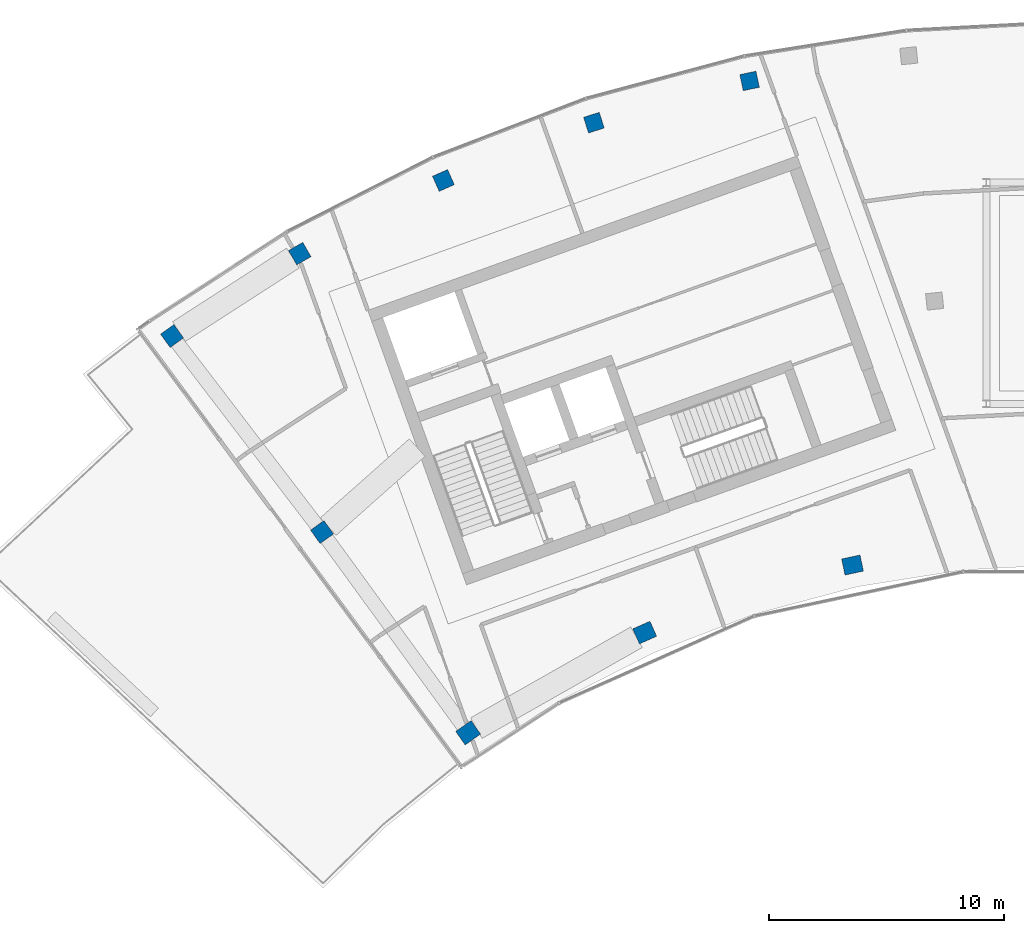
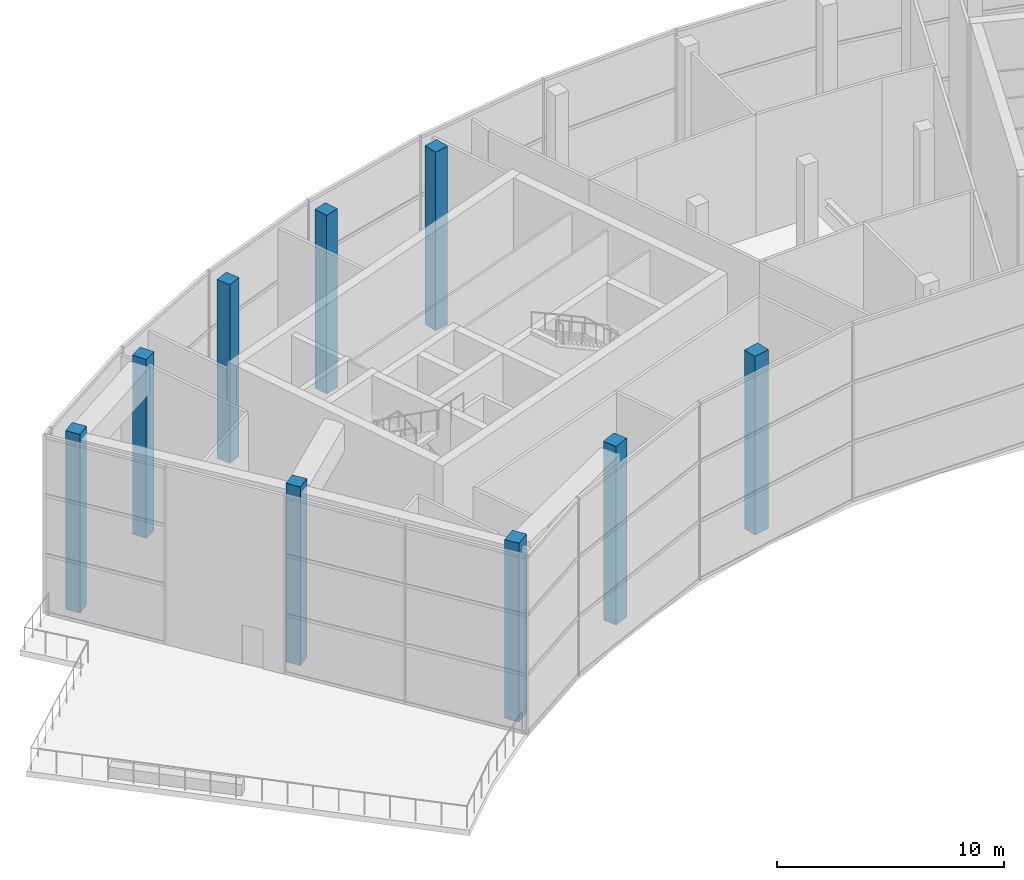
# One storey, part 1 of 20: 9 columns.
"""IFC4 building model written with IfcOpenShell, lengths in metres."""

import ifcopenshell
import ifcopenshell.guid

model = None  # the IFC model being written
_history = None  # IfcOwnerHistory: only IFC2X3 demands one
_inside = {}  # id of a spatial element -> (the spatial element, [elements in it])
_under = {}  # id of a project, library or spatial element -> (it, [spatial elements below it])
_declared = {}  # id of a project -> (the project, [libraries it declares])
_typed = {}  # id of a type object -> (the type object, [elements of that type])
_made_of = {}  # id of a material, layer set ... -> (it, [elements and type objects made of it])


def new_model(schema):
    """Start an empty IFC model of exactly this schema.

    Asked for "IFC4X3", IfcOpenShell would pick the latest addendum, in which some entities
    have other attributes; the version numbers below select the first issue.
    IFC2X3 requires an IfcOwnerHistory on every rooted entity: one is made here for all.
    """
    global model, _history
    if schema == "IFC4X3":
        model = ifcopenshell.file(schema_version=(4, 3, 0, 0))
    else:
        model = ifcopenshell.file(schema=schema)
    _inside.clear()
    _under.clear()
    _declared.clear()
    _typed.clear()
    _made_of.clear()
    _history = None
    if model.schema == "IFC2X3":
        org = make("IfcOrganization", Name="unknown")
        user = make(
            "IfcPersonAndOrganization",
            ThePerson=make("IfcPerson", FamilyName="unknown"),
            TheOrganization=org,
        )
        app = make(
            "IfcApplication",
            ApplicationDeveloper=org,
            Version="unknown",
            ApplicationFullName="unknown",
            ApplicationIdentifier="unknown",
        )
        _history = make(
            "IfcOwnerHistory",
            OwningUser=user,
            OwningApplication=app,
            ChangeAction="ADDED",
            CreationDate=0,
        )
    return model


def make(cls, **values):
    """One entity of the class cls with the attributes given. An attribute that is None is left unset."""
    return model.create_entity(
        cls, **{name: value for name, value in values.items() if value is not None}
    )


def rooted(cls, **values):
    """An entity with a GlobalId (a new one), such as an element, a storey or a relation."""
    return make(cls, GlobalId=ifcopenshell.guid.new(), OwnerHistory=_history, **values)


def si_unit(unit_type, name, prefix=None):
    """IfcSIUnit, for example si_unit("LENGTHUNIT", "METRE", prefix="MILLI")."""
    return make("IfcSIUnit", UnitType=unit_type, Prefix=prefix, Name=name)


def assignment(units):
    """IfcUnitAssignment: the units of a project."""
    return None if units is None else make("IfcUnitAssignment", Units=units)


def point(xyz):
    """IfcCartesianPoint."""
    return None if xyz is None else make("IfcCartesianPoint", Coordinates=xyz)


def direction(xyz):
    """IfcDirection."""
    return None if xyz is None else make("IfcDirection", DirectionRatios=xyz)


def frame(location, z_axis=None, x_axis=None):
    """IfcAxis2Placement3D, a coordinate frame: its origin and axes. An axis left out is left unset."""
    return make(
        "IfcAxis2Placement3D",
        Location=point(location),
        Axis=direction(z_axis),
        RefDirection=direction(x_axis),
    )


def frame_2d(location, x_axis=None):
    """IfcAxis2Placement2D, a coordinate frame in the plane: its origin and x axis."""
    return make(
        "IfcAxis2Placement2D", Location=point(location), RefDirection=direction(x_axis)
    )


def origin():
    """The frame at (0, 0, 0) with its axes left unset."""
    return frame((0.0, 0.0, 0.0))


def origin_2d():
    """The frame at (0, 0) in the plane with its x axis left unset."""
    return frame_2d((0.0, 0.0))


def place(relative_to, where):
    """IfcLocalPlacement: puts the frame where relative to a parent placement (None: the world)."""
    return make(
        "IfcLocalPlacement", PlacementRelTo=relative_to, RelativePlacement=where
    )


def context(
    kind, dimensions, precision=None, world=None, true_north=None, identifier=None
):
    """IfcGeometricRepresentationContext, for example the 3D "Model" context."""
    return make(
        "IfcGeometricRepresentationContext",
        ContextIdentifier=identifier,
        ContextType=kind,
        CoordinateSpaceDimension=dimensions,
        Precision=precision,
        WorldCoordinateSystem=world,
        TrueNorth=true_north,
    )


def subcontext(parent, identifier, kind, view, scale=None):
    """IfcGeometricRepresentationSubContext, for example "Body" below "Model"."""
    return make(
        "IfcGeometricRepresentationSubContext",
        ContextIdentifier=identifier,
        ContextType=kind,
        ParentContext=parent,
        TargetScale=scale,
        TargetView=view,
    )


def project(units=None, contexts=None):
    """IfcProject with its units and contexts."""
    return rooted(
        "IfcProject",
        Name="project",
        RepresentationContexts=contexts,
        UnitsInContext=assignment(units),
    )


def spatial(cls, under=None, at=None, **own):
    """A site, building, storey or space (cls), placed at a placement, below another one or the project."""
    s = rooted(cls, ObjectPlacement=at, **own)
    if under is not None:
        _under.setdefault(under.id(), (under, []))[1].append(s)
    return s


def profile(cls, at=None, kind="AREA", **sizes):
    """A parametric profile (cls). Its sizes go by their IFC names, for example OverallWidth=200.0."""
    return make(cls, ProfileType=kind, Position=at, **sizes)


def rectangle(**sizes):
    """IfcRectangleProfileDef."""
    return profile("IfcRectangleProfileDef", **sizes)


def extrude(swept, where, along, depth):
    """IfcExtrudedAreaSolid: the profile swept, set in the frame where, extruded along a direction by depth."""
    return make(
        "IfcExtrudedAreaSolid",
        SweptArea=swept,
        Position=where,
        ExtrudedDirection=direction(along),
        Depth=depth,
    )


def shape(context_of_items, identifier, shape_type, items):
    """IfcShapeRepresentation: the items that make up one representation, for example the "Body"."""
    return make(
        "IfcShapeRepresentation",
        ContextOfItems=context_of_items,
        RepresentationIdentifier=identifier,
        RepresentationType=shape_type,
        Items=items,
    )


def material(Name=None, Category=None):
    """IfcMaterial."""
    return make("IfcMaterial", Name=Name, Category=Category)


def material_profile(
    of_material, cross_section, Name=None, Category=None, Priority=None
):
    """IfcMaterialProfile: a cross section and its material."""
    return make(
        "IfcMaterialProfile",
        Name=Name,
        Material=of_material,
        Profile=cross_section,
        Priority=Priority,
        Category=Category,
    )


def profile_set(profiles, Name=None, composite=None):
    """IfcMaterialProfileSet."""
    return make(
        "IfcMaterialProfileSet",
        Name=Name,
        MaterialProfiles=profiles,
        CompositeProfile=composite,
    )


def made_of(thing, what):
    """Note that an element or type object is made of a material, layer set ...; save() writes the relation."""
    if what is not None:
        _made_of.setdefault(what.id(), (what, []))[1].append(thing)
    return thing


def type_object(cls, material=None, **own):
    """A type object (cls), such as IfcWallType, which elements share."""
    return made_of(rooted(cls, **own), material)


def element(
    cls,
    number,
    at=None,
    inside=None,
    cuts=None,
    type_object=None,
    material=None,
    context=None,
    identifier="Body",
    shape_type=None,
    held_by="IfcProductDefinitionShape",
    body=None,
    shapes=None,
    **own,
):
    """One element of the class cls, such as IfcWall. Its Tag is "e" and its number.

    at: its placement. inside: the storey or other place that contains it. cuts: it is an
    opening in that element (IfcRelVoidsElement). A single representation is given by context,
    identifier, shape_type and body (its items); several are given by shapes. held_by: the class
    of the entity that holds the representations. save() writes the other relations.
    """
    e = rooted(cls, Tag="e%d" % number, ObjectPlacement=at, **own)
    if body is not None:
        shapes = [shape(context, identifier, shape_type, body)]
    if shapes is not None:
        e.Representation = make(held_by, Representations=shapes)
    if inside is not None:
        _inside.setdefault(inside.id(), (inside, []))[1].append(e)
    if cuts is not None:
        rooted(
            "IfcRelVoidsElement", RelatingBuildingElement=cuts, RelatedOpeningElement=e
        )
    if type_object is not None:
        _typed.setdefault(type_object.id(), (type_object, []))[1].append(e)
    return made_of(e, material)


def aggregate(whole, parts):
    """IfcRelAggregates: a whole, such as a stair, and the parts it consists of."""
    return rooted("IfcRelAggregates", RelatingObject=whole, RelatedObjects=parts)


def save(model, path):
    """Write the relations noted so far, then the file.

    IfcRelAggregates (storeys below a building ...), IfcRelContainedInSpatialStructure (elements
    in a storey), IfcRelDefinesByType, IfcRelAssociatesMaterial and IfcRelDeclares: one each for
    every whole, place, type object, material and project.
    """
    for whole, parts in _under.values():
        aggregate(whole, parts)
    for where, things in _inside.values():
        rooted(
            "IfcRelContainedInSpatialStructure",
            RelatedElements=things,
            RelatingStructure=where,
        )
    for kind, things in _typed.values():
        rooted("IfcRelDefinesByType", RelatedObjects=things, RelatingType=kind)
    for what, things in _made_of.values():
        rooted("IfcRelAssociatesMaterial", RelatedObjects=things, RelatingMaterial=what)
    for by, libraries in _declared.values():
        rooted("IfcRelDeclares", RelatingContext=by, RelatedDefinitions=libraries)
    model.write(path)


model = new_model("IFC4")

# Units and contexts
model_context = context("Model", 3, precision=1e-05, world=origin(), true_north=direction((0.0, 1.0)))
body_context = subcontext(model_context, "Body", "Model", "MODEL_VIEW")
ifc_project = project(units=[si_unit("LENGTHUNIT", "METRE"), si_unit("AREAUNIT", "SQUARE_METRE"), si_unit("VOLUMEUNIT", "CUBIC_METRE"), si_unit("PLANEANGLEUNIT", "RADIAN"), si_unit("MASSUNIT", "GRAM", prefix="KILO")], contexts=[model_context])

# Site, building, storey
site_placement = place(None, origin())
site = spatial("IfcSite", under=ifc_project, at=site_placement, CompositionType="ELEMENT")
building_placement = place(site_placement, origin())
building = spatial("IfcBuilding", under=site, at=building_placement, Name="Stone Belt Terrace Tower", CompositionType="ELEMENT")
storey_placement = place(building_placement, frame((0.0, 0.0, 323.0)))
storey = spatial("IfcBuildingStorey", under=building, at=storey_placement, Name="L78", CompositionType="ELEMENT", Elevation=323.0)

# Columns
ifc_material = material(Name="Concrete B60", Category="concrete")
ifc_material_profile_1 = material_profile(ifc_material, rectangle(XDim=0.699951171875, YDim=0.699951171875, at=origin_2d()), Name="RC 700x700")
ifc_profile_set_1 = profile_set([ifc_material_profile_1], Name="Concrete B60")
column_type_1 = type_object("IfcColumnType", Name="Column RC 700x700 B60", PredefinedType="COLUMN", material=ifc_profile_set_1)
for number, where, z_axis, x_axis, name in (
    (1, (-31.798095703125, 44.876220703125, 0.0), (0.0, 0.0, 1.0), (0.815933811896, 0.578145323084, 0.0), "Column L78 QA"),
    (2, (-38.174560546875, 53.211669921875, 0.0), (0.0, 0.0, 1.0), (0.812531414869, 0.58291740397, 0.0), "Column L78 RA"),
    (3, (-32.744384765625, 56.715087890625, 0.0), (0.0, 0.0, 1.0), (0.866025403784, 0.5, 0.0), "Column L78 R17"),
    (4, (-26.63671875, 59.8271484375, 0.0), (0.0, 0.0, 1.0), (0.913545457643, 0.406736643076, 0.0), "Column L78 R18"),
    (5, (-20.2373046875, 62.28369140625, 0.0), (0.0, 0.0, 1.0), (0.951056516295, 0.309016994375, 0.0), "Column L78 R19"),
    (6, (-13.615966796875, 64.057861328125, 0.0), (0.0, 0.0, 1.0), (0.978147600734, 0.207911690818, 0.0), "Column L78 R20"),
):
    element("IfcColumn", number, at=place(storey_placement, frame(where, z_axis=z_axis, x_axis=x_axis)), inside=storey, type_object=column_type_1, Name=name, PredefinedType="COLUMN", context=body_context, shape_type="SweptSolid", body=[
        extrude(rectangle(XDim=0.699951171875, YDim=0.699951171875, at=origin_2d()), origin(), (0.0, 0.0, 1.0), 9.60009765625),
    ])
ifc_material_profile_2 = material_profile(ifc_material, rectangle(XDim=0.800048828125, YDim=0.699951171875, at=origin_2d()), Name="RC 800x700")
ifc_profile_set_2 = profile_set([ifc_material_profile_2], Name="Concrete B60")
column_type_2 = type_object("IfcColumnType", Name="Column RC 800x700 B60", PredefinedType="COLUMN", material=ifc_profile_set_2)
for number, where, z_axis, x_axis, name in (
    (7, (-25.585205078125, 36.342041015625, 0.0), (0.0, 0.0, 1.0), (0.817687809993, 0.575661919349, 0.0), "Column L78 PA"),
    (8, (-18.077392578125, 40.6025390625, 0.0), (0.0, 0.0, 1.0), (0.913545457643, 0.406736643076, 0.0), "Column L78 P18"),
    (9, (-9.240478515625, 43.473876953125, 0.0), (0.0, 0.0, 1.0), (0.978147600734, 0.207911690818, 0.0), "Column L78 P20"),
):
    element("IfcColumn", number, at=place(storey_placement, frame(where, z_axis=z_axis, x_axis=x_axis)), inside=storey, type_object=column_type_2, Name=name, PredefinedType="COLUMN", context=body_context, shape_type="SweptSolid", body=[
        extrude(rectangle(XDim=0.800048828125, YDim=0.699951171875, at=origin_2d()), origin(), (0.0, 0.0, 1.0), 9.60009765625),
    ])

save(model, "model.ifc")
